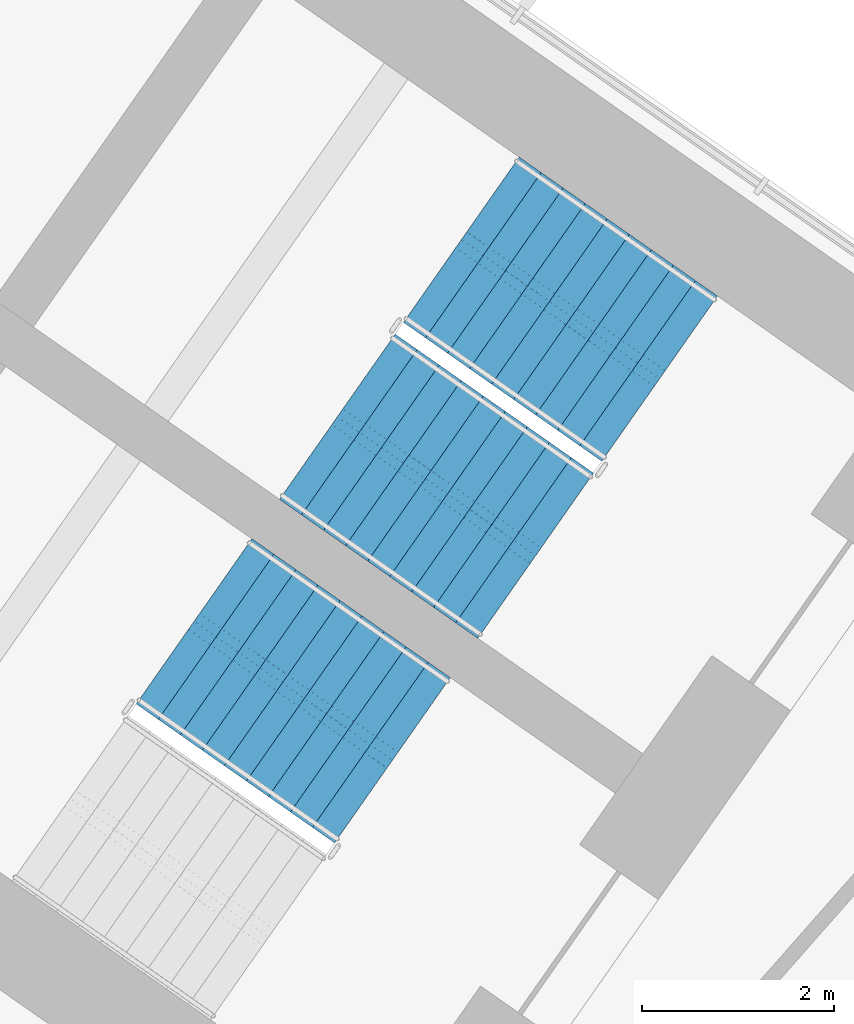
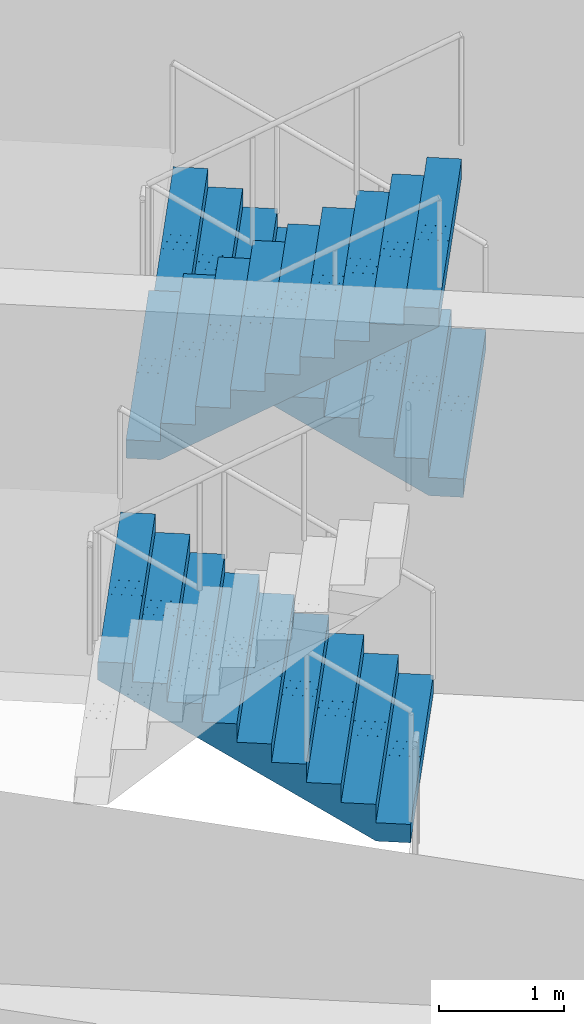
# One storey, part 17 of 23: 3 stair flights, 2 elements without a shape of their own.
"""IFC4 building model written with IfcOpenShell, lengths in metres."""

from ifc_helpers import new_model, si_unit, direction, frame, origin, place, context, subcontext, project, spatial, polyline, outline, extrude, material, type_object, element, aggregate, save


model = new_model("IFC4")

# Units and contexts
model_context = context("Model", 3, precision=1e-05, world=origin(), true_north=direction((0.0, 1.0)))
body_context = subcontext(model_context, "Body", "Model", "MODEL_VIEW")
ifc_project = project(units=[si_unit("LENGTHUNIT", "METRE"), si_unit("AREAUNIT", "SQUARE_METRE"), si_unit("VOLUMEUNIT", "CUBIC_METRE"), si_unit("PLANEANGLEUNIT", "RADIAN"), si_unit("MASSUNIT", "GRAM", prefix="KILO")], contexts=[model_context])

# Site, building, storey
site_placement = place(None, origin())
site = spatial("IfcSite", under=ifc_project, at=site_placement, CompositionType="ELEMENT")
building_placement = place(site_placement, origin())
building = spatial("IfcBuilding", under=site, at=building_placement, Name="Tel Ilan Convention Tower", CompositionType="ELEMENT")
storey_placement = place(building_placement, frame((0.0, 0.0, 112.10009765625)))
storey = spatial("IfcBuildingStorey", under=building, at=storey_placement, Name="L24", CompositionType="ELEMENT", Elevation=112.10009765625)

# Stair, stair flights
ifc_material_1 = material(Name="Concrete C40/50", Category="concrete")
stair_type = type_object("IfcStairType", Name="Pressurised Exit Stair 20 risers 180 mm", PredefinedType="HALF_TURN_STAIR", material=ifc_material_1)
stair_1_placement = place(storey_placement, origin())
stair_1 = element("IfcStair", 1, at=stair_1_placement, inside=storey, type_object=stair_type, Name="L24 Pressurised Stair S3", PredefinedType="HALF_TURN_STAIR")
ifc_material_2 = material(Name="Precast Concrete C40/50", Category="concrete")
stair_flight_type = type_object("IfcStairFlightType", Name="Concrete Stair Flight 2100 mm 20 risers 180 mm", PredefinedType="STRAIGHT", material=ifc_material_2)
stair_flight_1_placement = place(storey_placement, frame((24.25244140625, -7.032470703125, 0.0), z_axis=(0.0, 0.0, 1.0), x_axis=(-0.819152044289, 0.573576436351, 0.0)))
stair_flight_1 = element("IfcStairFlight", 2, at=stair_flight_1_placement, type_object=stair_flight_type, Name="S3 flight 1", NumberOfRisers=10, NumberOfTreads=9, PredefinedType="STRAIGHT", RiserHeight=0.18, TreadLength=0.28, context=body_context, shape_type="SweptSolid", body=[
    extrude(outline(polyline([(0.0, 0.0), (0.0, 0.179931640625), (0.280029296875, 0.179931640625), (0.280029296875, 0.360107421875), (0.56005859375, 0.360107421875), (0.56005859375, 0.5400390625), (0.840087890625, 0.5400390625), (0.840087890625, 0.719970703125), (1.1201171875, 0.719970703125), (1.1201171875, 0.89990234375), (1.39990234375, 0.89990234375), (1.39990234375, 1.080078125), (1.679931640625, 1.080078125), (1.679931640625, 1.260009765625), (1.9599609375, 1.260009765625), (1.9599609375, 1.43994140625), (2.239990234375, 1.43994140625), (2.239990234375, 1.6201171875), (2.52001953125, 1.6201171875), (2.52001953125, 1.800048828125), (2.52001953125, 1.44189453125), (0.277099609375, 0.0), (0.0, 0.0)])), frame((0.0, -0.100341796875, 0.0), z_axis=(0.0, -1.0, 0.0), x_axis=(1.0, 0.0, 0.0)), (0.0, 0.0, 1.0), 0.94970703125),
    extrude(outline(polyline([(0.0, 0.0), (0.0, 0.179931640625), (0.280029296875, 0.179931640625), (0.280029296875, 0.360107421875), (0.56005859375, 0.360107421875), (0.56005859375, 0.5400390625), (0.840087890625, 0.5400390625), (0.840087890625, 0.719970703125), (1.1201171875, 0.719970703125), (1.1201171875, 0.89990234375), (1.39990234375, 0.89990234375), (1.39990234375, 1.080078125), (1.679931640625, 1.080078125), (1.679931640625, 1.260009765625), (1.9599609375, 1.260009765625), (1.9599609375, 1.43994140625), (2.239990234375, 1.43994140625), (2.239990234375, 1.6201171875), (2.52001953125, 1.6201171875), (2.52001953125, 1.800048828125), (2.52001953125, 1.44189453125), (0.277099609375, 0.0), (0.0, 0.0)])), frame((0.0, -0.000244140625, 0.0), z_axis=(0.0, -1.0, 0.0), x_axis=(1.0, 0.0, 0.0)), (0.0, 0.0, 1.0), 0.099609375),
    extrude(outline(polyline([(0.0, 0.0), (0.0, 0.179931640625), (0.280029296875, 0.179931640625), (0.280029296875, 0.360107421875), (0.56005859375, 0.360107421875), (0.56005859375, 0.5400390625), (0.840087890625, 0.5400390625), (0.840087890625, 0.719970703125), (1.1201171875, 0.719970703125), (1.1201171875, 0.89990234375), (1.39990234375, 0.89990234375), (1.39990234375, 1.080078125), (1.679931640625, 1.080078125), (1.679931640625, 1.260009765625), (1.9599609375, 1.260009765625), (1.9599609375, 1.43994140625), (2.239990234375, 1.43994140625), (2.239990234375, 1.6201171875), (2.52001953125, 1.6201171875), (2.52001953125, 1.800048828125), (2.52001953125, 1.44189453125), (0.277099609375, 0.0), (0.0, 0.0)])), frame((0.0, 0.099853515625, 0.0), z_axis=(0.0, -1.0, 0.0), x_axis=(1.0, 0.0, 0.0)), (0.0, 0.0, 1.0), 0.099609375),
    extrude(outline(polyline([(0.0, 0.0), (0.0, 0.179931640625), (0.280029296875, 0.179931640625), (0.280029296875, 0.360107421875), (0.56005859375, 0.360107421875), (0.56005859375, 0.5400390625), (0.840087890625, 0.5400390625), (0.840087890625, 0.719970703125), (1.1201171875, 0.719970703125), (1.1201171875, 0.89990234375), (1.39990234375, 0.89990234375), (1.39990234375, 1.080078125), (1.679931640625, 1.080078125), (1.679931640625, 1.260009765625), (1.9599609375, 1.260009765625), (1.9599609375, 1.43994140625), (2.239990234375, 1.43994140625), (2.239990234375, 1.6201171875), (2.52001953125, 1.6201171875), (2.52001953125, 1.800048828125), (2.52001953125, 1.44189453125), (0.277099609375, 0.0), (0.0, 0.0)])), frame((0.0, 1.050048828125, 0.0), z_axis=(0.0, -1.0, 0.0), x_axis=(1.0, 0.0, 0.0)), (0.0, 0.0, 1.0), 0.94970703125),
])
stair_flight_2_placement = place(storey_placement, frame((20.8974609375, -7.43017578125, 1.7998046875), z_axis=(0.0, 0.0, 1.0), x_axis=(0.819152044289, -0.573576436351, 0.0)))
stair_flight_2 = element("IfcStairFlight", 3, at=stair_flight_2_placement, type_object=stair_flight_type, Name="S3 flight 2", NumberOfRisers=10, NumberOfTreads=9, PredefinedType="STRAIGHT", RiserHeight=0.18, TreadLength=0.28, context=body_context, shape_type="SweptSolid", body=[
    extrude(outline(polyline([(0.0, 0.0), (0.0, 0.179931640625), (0.280029296875, 0.179931640625), (0.280029296875, 0.360107421875), (0.56005859375, 0.360107421875), (0.56005859375, 0.5400390625), (0.840087890625, 0.5400390625), (0.840087890625, 0.719970703125), (1.1201171875, 0.719970703125), (1.1201171875, 0.89990234375), (1.39990234375, 0.89990234375), (1.39990234375, 1.080078125), (1.679931640625, 1.080078125), (1.679931640625, 1.260009765625), (1.9599609375, 1.260009765625), (1.9599609375, 1.43994140625), (2.239990234375, 1.43994140625), (2.239990234375, 1.6201171875), (2.52001953125, 1.6201171875), (2.52001953125, 1.800048828125), (2.52001953125, 1.44189453125), (0.277099609375, 0.0), (0.0, 0.0)])), frame((0.0, -0.100341796875, 0.0), z_axis=(0.0, -1.0, 0.0), x_axis=(1.0, 0.0, 0.0)), (0.0, 0.0, 1.0), 0.94970703125),
    extrude(outline(polyline([(0.0, 0.0), (0.0, 0.179931640625), (0.280029296875, 0.179931640625), (0.280029296875, 0.360107421875), (0.56005859375, 0.360107421875), (0.56005859375, 0.5400390625), (0.840087890625, 0.5400390625), (0.840087890625, 0.719970703125), (1.1201171875, 0.719970703125), (1.1201171875, 0.89990234375), (1.39990234375, 0.89990234375), (1.39990234375, 1.080078125), (1.679931640625, 1.080078125), (1.679931640625, 1.260009765625), (1.9599609375, 1.260009765625), (1.9599609375, 1.43994140625), (2.239990234375, 1.43994140625), (2.239990234375, 1.6201171875), (2.52001953125, 1.6201171875), (2.52001953125, 1.800048828125), (2.52001953125, 1.44189453125), (0.277099609375, 0.0), (0.0, 0.0)])), frame((0.0, -0.000244140625, 0.0), z_axis=(0.0, -1.0, 0.0), x_axis=(1.0, 0.0, 0.0)), (0.0, 0.0, 1.0), 0.099609375),
    extrude(outline(polyline([(0.0, 0.0), (0.0, 0.179931640625), (0.280029296875, 0.179931640625), (0.280029296875, 0.360107421875), (0.56005859375, 0.360107421875), (0.56005859375, 0.5400390625), (0.840087890625, 0.5400390625), (0.840087890625, 0.719970703125), (1.1201171875, 0.719970703125), (1.1201171875, 0.89990234375), (1.39990234375, 0.89990234375), (1.39990234375, 1.080078125), (1.679931640625, 1.080078125), (1.679931640625, 1.260009765625), (1.9599609375, 1.260009765625), (1.9599609375, 1.43994140625), (2.239990234375, 1.43994140625), (2.239990234375, 1.6201171875), (2.52001953125, 1.6201171875), (2.52001953125, 1.800048828125), (2.52001953125, 1.44189453125), (0.277099609375, 0.0), (0.0, 0.0)])), frame((0.0, 0.099853515625, 0.0), z_axis=(0.0, -1.0, 0.0), x_axis=(1.0, 0.0, 0.0)), (0.0, 0.0, 1.0), 0.099609375),
    extrude(outline(polyline([(0.0, 0.0), (0.0, 0.179931640625), (0.280029296875, 0.179931640625), (0.280029296875, 0.360107421875), (0.56005859375, 0.360107421875), (0.56005859375, 0.5400390625), (0.840087890625, 0.5400390625), (0.840087890625, 0.719970703125), (1.1201171875, 0.719970703125), (1.1201171875, 0.89990234375), (1.39990234375, 0.89990234375), (1.39990234375, 1.080078125), (1.679931640625, 1.080078125), (1.679931640625, 1.260009765625), (1.9599609375, 1.260009765625), (1.9599609375, 1.43994140625), (2.239990234375, 1.43994140625), (2.239990234375, 1.6201171875), (2.52001953125, 1.6201171875), (2.52001953125, 1.800048828125), (2.52001953125, 1.44189453125), (0.277099609375, 0.0), (0.0, 0.0)])), frame((0.0, 1.050048828125, 0.0), z_axis=(0.0, -1.0, 0.0), x_axis=(1.0, 0.0, 0.0)), (0.0, 0.0, 1.0), 0.94970703125),
])
aggregate(stair_1, [stair_flight_1, stair_flight_2])

# Stair, stair flight
stair_2_placement = place(storey_placement, origin())
stair_2 = element("IfcStair", 4, at=stair_2_placement, inside=storey, type_object=stair_type, Name="L24 Pressurised Stair S4", PredefinedType="HALF_TURN_STAIR")
stair_flight_3_placement = place(storey_placement, frame((21.470458984375, -11.00537109375, 0.0), z_axis=(0.0, 0.0, 1.0), x_axis=(-0.819152044289, 0.573576436351, 0.0)))
stair_flight_3 = element("IfcStairFlight", 5, at=stair_flight_3_placement, type_object=stair_flight_type, Name="S4 flight 1", NumberOfRisers=10, NumberOfTreads=9, PredefinedType="STRAIGHT", RiserHeight=0.18, TreadLength=0.28, context=body_context, shape_type="SweptSolid", body=[
    extrude(outline(polyline([(0.0, 0.0), (0.0, 0.179931640625), (0.280029296875, 0.179931640625), (0.280029296875, 0.360107421875), (0.56005859375, 0.360107421875), (0.56005859375, 0.5400390625), (0.840087890625, 0.5400390625), (0.840087890625, 0.719970703125), (1.1201171875, 0.719970703125), (1.1201171875, 0.89990234375), (1.39990234375, 0.89990234375), (1.39990234375, 1.080078125), (1.679931640625, 1.080078125), (1.679931640625, 1.260009765625), (1.9599609375, 1.260009765625), (1.9599609375, 1.43994140625), (2.239990234375, 1.43994140625), (2.239990234375, 1.6201171875), (2.52001953125, 1.6201171875), (2.52001953125, 1.800048828125), (2.52001953125, 1.44189453125), (0.277099609375, 0.0), (0.0, 0.0)])), frame((0.0, -0.100341796875, 0.0), z_axis=(0.0, -1.0, 0.0), x_axis=(1.0, 0.0, 0.0)), (0.0, 0.0, 1.0), 0.94970703125),
    extrude(outline(polyline([(0.0, 0.0), (0.0, 0.179931640625), (0.280029296875, 0.179931640625), (0.280029296875, 0.360107421875), (0.56005859375, 0.360107421875), (0.56005859375, 0.5400390625), (0.840087890625, 0.5400390625), (0.840087890625, 0.719970703125), (1.1201171875, 0.719970703125), (1.1201171875, 0.89990234375), (1.39990234375, 0.89990234375), (1.39990234375, 1.080078125), (1.679931640625, 1.080078125), (1.679931640625, 1.260009765625), (1.9599609375, 1.260009765625), (1.9599609375, 1.43994140625), (2.239990234375, 1.43994140625), (2.239990234375, 1.6201171875), (2.52001953125, 1.6201171875), (2.52001953125, 1.800048828125), (2.52001953125, 1.44189453125), (0.277099609375, 0.0), (0.0, 0.0)])), frame((0.0, -0.000244140625, 0.0), z_axis=(0.0, -1.0, 0.0), x_axis=(1.0, 0.0, 0.0)), (0.0, 0.0, 1.0), 0.099609375),
    extrude(outline(polyline([(0.0, 0.0), (0.0, 0.179931640625), (0.280029296875, 0.179931640625), (0.280029296875, 0.360107421875), (0.56005859375, 0.360107421875), (0.56005859375, 0.5400390625), (0.840087890625, 0.5400390625), (0.840087890625, 0.719970703125), (1.1201171875, 0.719970703125), (1.1201171875, 0.89990234375), (1.39990234375, 0.89990234375), (1.39990234375, 1.080078125), (1.679931640625, 1.080078125), (1.679931640625, 1.260009765625), (1.9599609375, 1.260009765625), (1.9599609375, 1.43994140625), (2.239990234375, 1.43994140625), (2.239990234375, 1.6201171875), (2.52001953125, 1.6201171875), (2.52001953125, 1.800048828125), (2.52001953125, 1.44189453125), (0.277099609375, 0.0), (0.0, 0.0)])), frame((0.0, 0.099853515625, 0.0), z_axis=(0.0, -1.0, 0.0), x_axis=(1.0, 0.0, 0.0)), (0.0, 0.0, 1.0), 0.099609375),
    extrude(outline(polyline([(0.0, 0.0), (0.0, 0.179931640625), (0.280029296875, 0.179931640625), (0.280029296875, 0.360107421875), (0.56005859375, 0.360107421875), (0.56005859375, 0.5400390625), (0.840087890625, 0.5400390625), (0.840087890625, 0.719970703125), (1.1201171875, 0.719970703125), (1.1201171875, 0.89990234375), (1.39990234375, 0.89990234375), (1.39990234375, 1.080078125), (1.679931640625, 1.080078125), (1.679931640625, 1.260009765625), (1.9599609375, 1.260009765625), (1.9599609375, 1.43994140625), (2.239990234375, 1.43994140625), (2.239990234375, 1.6201171875), (2.52001953125, 1.6201171875), (2.52001953125, 1.800048828125), (2.52001953125, 1.44189453125), (0.277099609375, 0.0), (0.0, 0.0)])), frame((0.0, 1.050048828125, 0.0), z_axis=(0.0, -1.0, 0.0), x_axis=(1.0, 0.0, 0.0)), (0.0, 0.0, 1.0), 0.94970703125),
])
aggregate(stair_2, [stair_flight_3])

save(model, "model.ifc")
